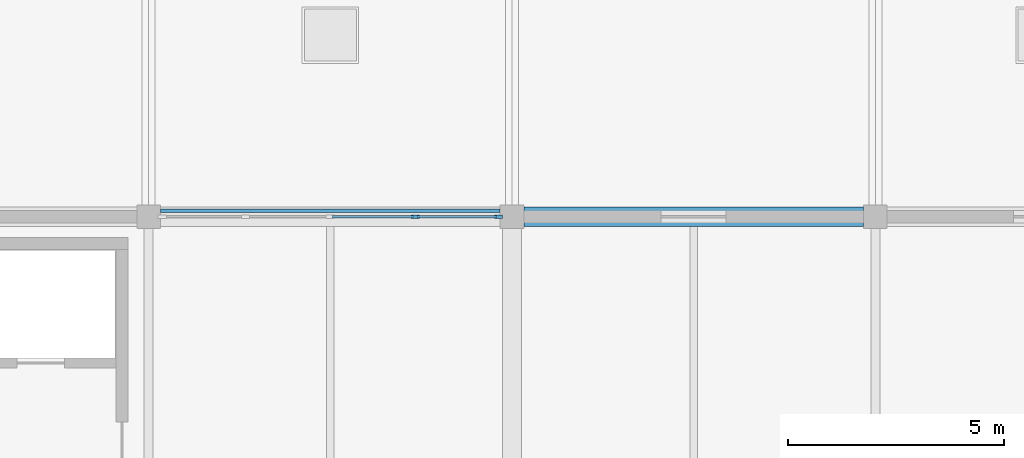
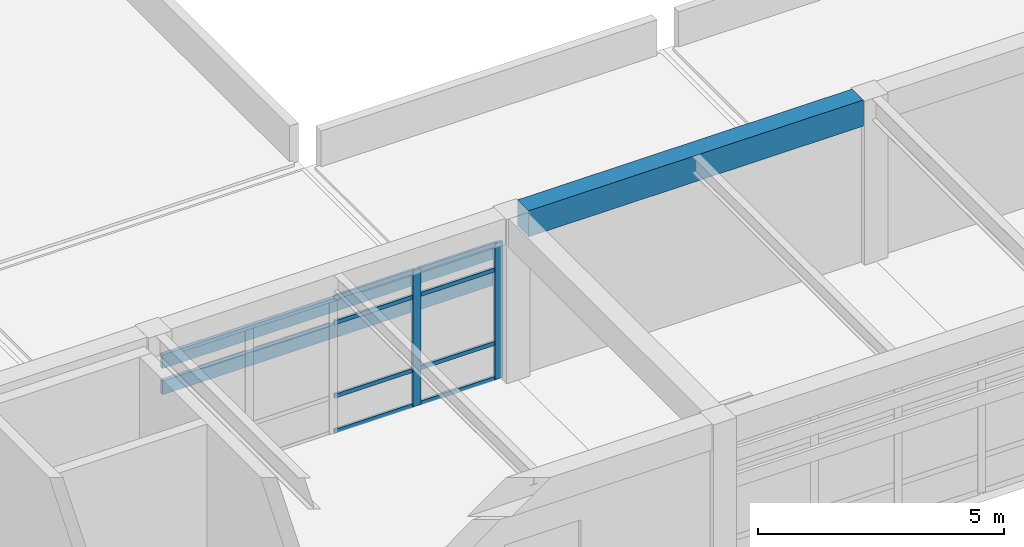
# One storey, part 23 of 74: 12 members, 1 beam, 1 element without a shape of its own.
"""IFC4 building model written with IfcOpenShell, lengths in metres."""

from ifc_helpers import new_model, si_unit, direction, frame, origin, origin_2d, place, context, subcontext, project, spatial, rectangle, extrude, material, layer, layer_set, material_profile, profile_set, type_object, element, aggregate, save


model = new_model("IFC4")

# Units and contexts
model_context = context("Model", 3, precision=1e-05, world=origin(), true_north=direction((0.0, 1.0)))
body_context = subcontext(model_context, "Body", "Model", "MODEL_VIEW")
ifc_project = project(units=[si_unit("LENGTHUNIT", "METRE"), si_unit("AREAUNIT", "SQUARE_METRE"), si_unit("VOLUMEUNIT", "CUBIC_METRE"), si_unit("PLANEANGLEUNIT", "RADIAN"), si_unit("MASSUNIT", "GRAM", prefix="KILO")], contexts=[model_context])

# Site, building, storey
site_placement = place(None, origin())
site = spatial("IfcSite", under=ifc_project, at=site_placement, CompositionType="ELEMENT")
building_placement = place(site_placement, origin())
building = spatial("IfcBuilding", under=site, at=building_placement, Name="Porcellanite Civic Hall", CompositionType="ELEMENT")
storey_placement = place(building_placement, frame((0.0, 0.0, 14.760009765625)))
storey = spatial("IfcBuildingStorey", under=building, at=storey_placement, Name="L03", CompositionType="ELEMENT", Elevation=14.760009765625)

# Beam
ifc_material_1 = material(Name="Concrete N50 (50 MPa)", Category="concrete")
ifc_material_profile_1 = material_profile(ifc_material_1, rectangle(XDim=0.449951171875, YDim=0.64990234375, at=origin_2d()), Name="RC-450x650")
ifc_profile_set_1 = profile_set([ifc_material_profile_1], Name="Concrete N50 (50 MPa)")
beam_type = type_object("IfcBeamType", Name="BM-RC650", PredefinedType="SPANDREL", material=ifc_profile_set_1)
beam_placement = place(storey_placement, frame((126.2744140625, 58.800048828125, 3.744873046875), z_axis=(1.0, 0.0, 0.0), x_axis=(0.0, 1.0, 0.0)))
element("IfcBeam", 1, at=beam_placement, inside=storey, type_object=beam_type, Name="Beam X L03 16-8", PredefinedType="SPANDREL", context=body_context, shape_type="SweptSolid", body=[
    extrude(rectangle(XDim=0.449951171875, YDim=0.64990234375, at=origin_2d()), origin(), (0.0, 0.0, 1.0), 7.85107421875),
])

# Curtain wall, members
ifc_material_2 = material(Name="Anodised aluminium and solar laminated glass", Category="aluminium")
ifc_layer = layer(ifc_material_2, 0.179931640625)
ifc_layer_set = layer_set([ifc_layer], Name="Anodised aluminium and solar laminated glass")
curtain_wall_type = type_object("IfcCurtainWallType", Name="CW-SYS04", PredefinedType="NOTDEFINED", material=ifc_layer_set)
curtain_wall_placement = place(storey_placement, origin())
curtain_wall = element("IfcCurtainWall", 2, at=curtain_wall_placement, inside=storey, type_object=curtain_wall_type, Name="Curtain wall CW-217", PredefinedType="NOTDEFINED")
ifc_material_3 = material(Name="Anodised aluminium 6063-T6", Category="aluminium")
ifc_material_profile_2 = material_profile(ifc_material_3, rectangle(XDim=0.074951171875, YDim=0.18994140625, at=origin_2d()), Name="AL-75x190")
ifc_profile_set_2 = profile_set([ifc_material_profile_2], Name="Anodised aluminium 6063-T6")
member_type_1 = type_object("IfcMemberType", Name="CWM-04", PredefinedType="MULLION", material=ifc_profile_set_2)
member_1_placement = place(storey_placement, frame((123.761962890625, 58.800048828125, 0.0), z_axis=(0.0, 0.0, 1.0), x_axis=(0.0, 1.0, 0.0)))
member_1 = element("IfcMember", 3, at=member_1_placement, type_object=member_type_1, Name="CW-217 mullion 4", PredefinedType="MULLION", context=body_context, shape_type="SweptSolid", body=[
    extrude(rectangle(XDim=0.074951171875, YDim=0.18994140625, at=origin_2d()), origin(), (0.0, 0.0, 1.0), 3.369873046875),
])
member_2_placement = place(storey_placement, frame((125.6865234375, 58.800048828125, 0.0), z_axis=(0.0, 0.0, 1.0), x_axis=(0.0, 1.0, 0.0)))
member_2 = element("IfcMember", 4, at=member_2_placement, type_object=member_type_1, Name="CW-217 mullion 5", PredefinedType="MULLION", context=body_context, shape_type="SweptSolid", body=[
    extrude(rectangle(XDim=0.074951171875, YDim=0.18994140625, at=origin_2d()), origin(), (0.0, 0.0, 1.0), 3.369873046875),
])
ifc_material_4 = material(Name="Anodised aluminium 6063-T6", Category="aluminium")
ifc_material_profile_3 = material_profile(ifc_material_4, rectangle(XDim=0.054931640625, YDim=0.10009765625, at=origin_2d()), Name="AL-55x100")
ifc_profile_set_3 = profile_set([ifc_material_profile_3], Name="Anodised aluminium 6063-T6")
member_type_2 = type_object("IfcMemberType", Name="CWT-05", PredefinedType="USERDEFINED", material=ifc_profile_set_3)
member_3_placement = place(storey_placement, frame((121.83740234375, 58.800048828125, 0.027587890625), z_axis=(1.0, 0.0, 0.0), x_axis=(0.0, 1.0, 0.0)))
member_3 = element("IfcMember", 5, at=member_3_placement, type_object=member_type_2, Name="CW-217 transom 3.1", ObjectType="TRANSOM", PredefinedType="USERDEFINED", context=body_context, shape_type="SweptSolid", body=[
    extrude(rectangle(XDim=0.054931640625, YDim=0.10009765625, at=origin_2d()), origin(), (0.0, 0.0, 1.0), 1.88720703125),
])
member_4_placement = place(storey_placement, frame((121.83740234375, 58.800048828125, 0.89990234375), z_axis=(1.0, 0.0, 0.0), x_axis=(0.0, 1.0, 0.0)))
member_4 = element("IfcMember", 6, at=member_4_placement, type_object=member_type_2, Name="CW-217 transom 3.2", ObjectType="TRANSOM", PredefinedType="USERDEFINED", context=body_context, shape_type="SweptSolid", body=[
    extrude(rectangle(XDim=0.054931640625, YDim=0.10009765625, at=origin_2d()), origin(), (0.0, 0.0, 1.0), 1.88720703125),
])
member_5_placement = place(storey_placement, frame((121.83740234375, 58.800048828125, 2.719970703125), z_axis=(1.0, 0.0, 0.0), x_axis=(0.0, 1.0, 0.0)))
member_5 = element("IfcMember", 7, at=member_5_placement, type_object=member_type_2, Name="CW-217 transom 3.3", ObjectType="TRANSOM", PredefinedType="USERDEFINED", context=body_context, shape_type="SweptSolid", body=[
    extrude(rectangle(XDim=0.054931640625, YDim=0.10009765625, at=origin_2d()), origin(), (0.0, 0.0, 1.0), 1.88720703125),
])
member_6_placement = place(storey_placement, frame((121.83740234375, 58.800048828125, 3.342529296875), z_axis=(1.0, 0.0, 0.0), x_axis=(0.0, 1.0, 0.0)))
member_6 = element("IfcMember", 8, at=member_6_placement, type_object=member_type_2, Name="CW-217 transom 3.4", ObjectType="TRANSOM", PredefinedType="USERDEFINED", context=body_context, shape_type="SweptSolid", body=[
    extrude(rectangle(XDim=0.054931640625, YDim=0.10009765625, at=origin_2d()), origin(), (0.0, 0.0, 1.0), 1.88720703125),
])
member_7_placement = place(storey_placement, frame((123.799560546875, 58.800048828125, 0.027587890625), z_axis=(1.0, 0.0, 0.0), x_axis=(0.0, 1.0, 0.0)))
member_7 = element("IfcMember", 9, at=member_7_placement, type_object=member_type_2, Name="CW-217 transom 4.1", ObjectType="TRANSOM", PredefinedType="USERDEFINED", context=body_context, shape_type="SweptSolid", body=[
    extrude(rectangle(XDim=0.054931640625, YDim=0.10009765625, at=origin_2d()), origin(), (0.0, 0.0, 1.0), 1.849365234375),
])
member_8_placement = place(storey_placement, frame((123.799560546875, 58.800048828125, 0.89990234375), z_axis=(1.0, 0.0, 0.0), x_axis=(0.0, 1.0, 0.0)))
member_8 = element("IfcMember", 10, at=member_8_placement, type_object=member_type_2, Name="CW-217 transom 4.2", ObjectType="TRANSOM", PredefinedType="USERDEFINED", context=body_context, shape_type="SweptSolid", body=[
    extrude(rectangle(XDim=0.054931640625, YDim=0.10009765625, at=origin_2d()), origin(), (0.0, 0.0, 1.0), 1.849365234375),
])
member_9_placement = place(storey_placement, frame((123.799560546875, 58.800048828125, 2.719970703125), z_axis=(1.0, 0.0, 0.0), x_axis=(0.0, 1.0, 0.0)))
member_9 = element("IfcMember", 11, at=member_9_placement, type_object=member_type_2, Name="CW-217 transom 4.3", ObjectType="TRANSOM", PredefinedType="USERDEFINED", context=body_context, shape_type="SweptSolid", body=[
    extrude(rectangle(XDim=0.054931640625, YDim=0.10009765625, at=origin_2d()), origin(), (0.0, 0.0, 1.0), 1.849365234375),
])
member_10_placement = place(storey_placement, frame((123.799560546875, 58.800048828125, 3.342529296875), z_axis=(1.0, 0.0, 0.0), x_axis=(0.0, 1.0, 0.0)))
member_10 = element("IfcMember", 12, at=member_10_placement, type_object=member_type_2, Name="CW-217 transom 4.4", ObjectType="TRANSOM", PredefinedType="USERDEFINED", context=body_context, shape_type="SweptSolid", body=[
    extrude(rectangle(XDim=0.054931640625, YDim=0.10009765625, at=origin_2d()), origin(), (0.0, 0.0, 1.0), 1.849365234375),
])
aggregate(curtain_wall, [member_1, member_2, member_3, member_4, member_5, member_6, member_7, member_8, member_9, member_10])

# Members
ifc_material_5 = material(Name="Fluoropolymer bauxite-red aluminium 6063-T6", Category="aluminium")
ifc_material_profile_4 = material_profile(ifc_material_5, rectangle(XDim=0.0849609375, YDim=0.340087890625, at=origin_2d()), Name="AL-85x340")
ifc_profile_set_4 = profile_set([ifc_material_profile_4], Name="Fluoropolymer bauxite-red aluminium 6063-T6")
member_type_3 = type_object("IfcMemberType", Name="LV-BLD02", PredefinedType="USERDEFINED", material=ifc_profile_set_4)
for number, where, z_axis, x_axis, name in (
    (13, (117.87451171875, 58.939453125, 3.070068359375), (1.0, 0.0, 0.0), (0.0, 1.0, 0.0), "Cyclone sunshade louvre L03 N 14-6 1"),
    (14, (117.87451171875, 58.939453125, 2.419921875), (1.0, 0.0, 0.0), (0.0, 1.0, 0.0), "Cyclone sunshade louvre L03 N 14-6 2"),
):
    element("IfcMember", number, at=place(storey_placement, frame(where, z_axis=z_axis, x_axis=x_axis)), inside=storey, type_object=member_type_3, Name=name, ObjectType="LOUVRE BLADE", PredefinedType="USERDEFINED", context=body_context, shape_type="SweptSolid", body=[
        extrude(rectangle(XDim=0.0849609375, YDim=0.340087890625, at=origin_2d()), origin(), (0.0, 0.0, 1.0), 7.85107421875),
    ])

save(model, "model.ifc")
